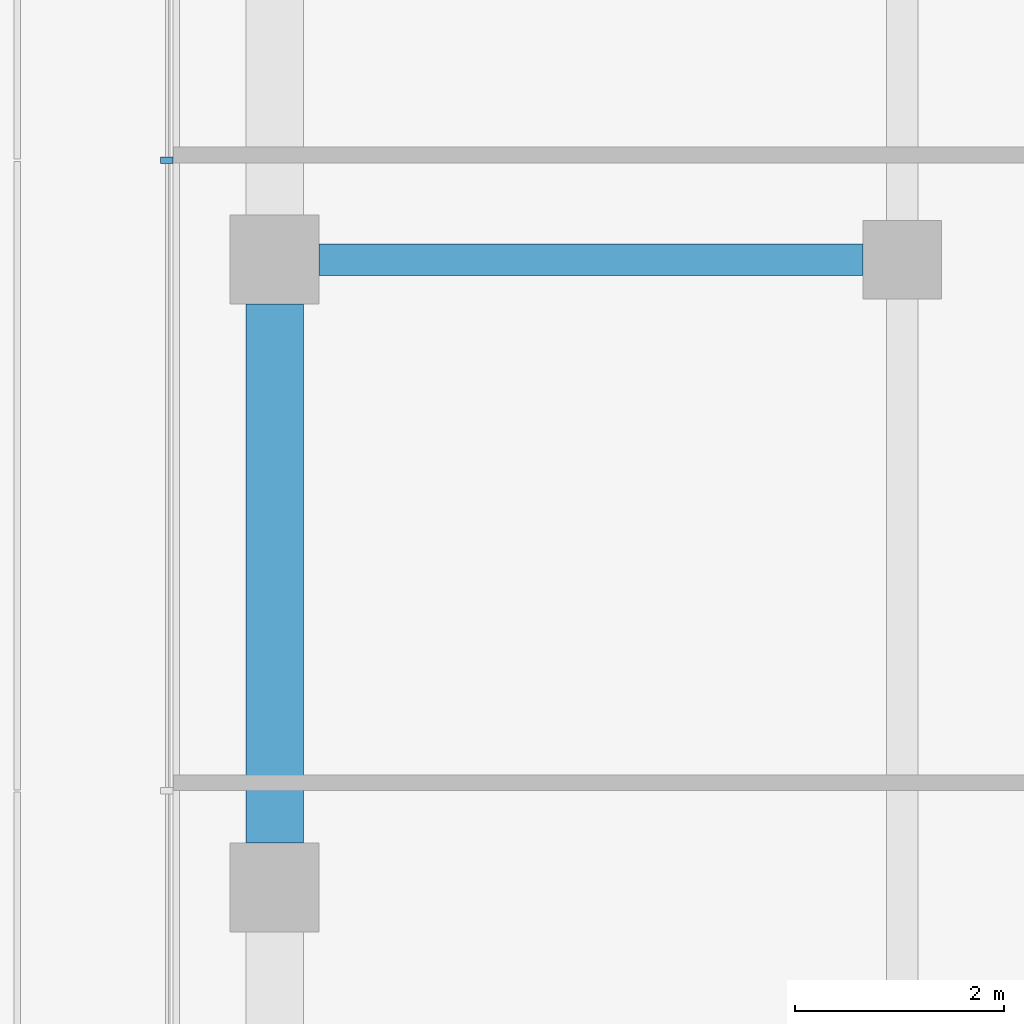
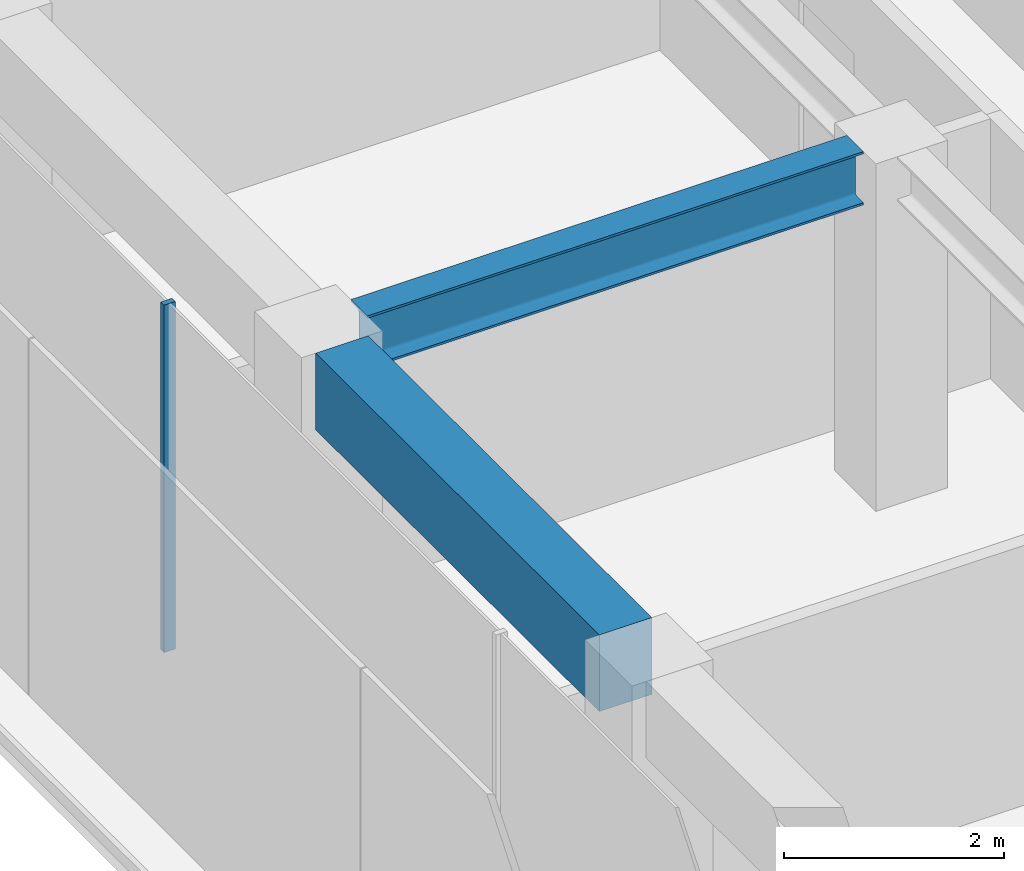
# One storey, part 9 of 21: 2 beams, 1 member, 1 element without a shape of its own.
"""IFC4 building model written with IfcOpenShell, lengths in metres."""

from ifc_helpers import new_model, si_unit, direction, frame, origin, origin_2d, place, context, subcontext, project, spatial, rectangle, i_section, extrude, material, layer, layer_set, material_profile, profile_set, type_object, element, aggregate, save


model = new_model("IFC4")

# Units and contexts
model_context = context("Model", 3, precision=1e-05, world=origin(), true_north=direction((0.0, 1.0)))
body_context = subcontext(model_context, "Body", "Model", "MODEL_VIEW")
ifc_project = project(units=[si_unit("LENGTHUNIT", "METRE"), si_unit("AREAUNIT", "SQUARE_METRE"), si_unit("VOLUMEUNIT", "CUBIC_METRE"), si_unit("PLANEANGLEUNIT", "RADIAN"), si_unit("MASSUNIT", "GRAM", prefix="KILO")], contexts=[model_context])

# Site, building, storey
site_placement = place(None, origin())
site = spatial("IfcSite", under=ifc_project, at=site_placement, CompositionType="ELEMENT")
building_placement = place(site_placement, origin())
building = spatial("IfcBuilding", under=site, at=building_placement, Name="Welwitschia Terrace Campus", CompositionType="ELEMENT")
storey_placement = place(building_placement, frame((0.0, 0.0, 159.199951171875)))
storey = spatial("IfcBuildingStorey", under=building, at=storey_placement, Name="L35", CompositionType="ELEMENT", Elevation=159.199951171875)

# Curtain wall, member
ifc_material_1 = material(Name="Bronze anodised aluminium", Category="aluminium")
ifc_layer = layer(ifc_material_1, 0.1201171875)
ifc_layer_set = layer_set([ifc_layer], Name="Bronze anodised aluminium")
curtain_wall_type = type_object("IfcCurtainWallType", Name="Curtain wall CW2 tower 6000", PredefinedType="NOTDEFINED", material=ifc_layer_set)
curtain_wall_placement = place(storey_placement, origin())
curtain_wall = element("IfcCurtainWall", 1, at=curtain_wall_placement, inside=storey, type_object=curtain_wall_type, Name="CW L35.11.0", PredefinedType="NOTDEFINED")
ifc_material_2 = material(Name="Bronze anodised aluminium", Category="aluminium")
ifc_material_profile_1 = material_profile(ifc_material_2, rectangle(XDim=0.1201171875, YDim=0.06005859375, at=origin_2d()))
ifc_profile_set_1 = profile_set([ifc_material_profile_1], Name="Bronze anodised aluminium")
member_type = type_object("IfcMemberType", Name="Mullion 60x120", PredefinedType="MULLION", material=ifc_profile_set_1)
member_placement = place(storey_placement, frame((-1.030029296875, 44.949462890625, 0.0), z_axis=(0.0, 0.0, 1.0), x_axis=(1.0, 0.0, 0.0)))
member = element("IfcMember", 2, at=member_placement, type_object=member_type, Name="Mullion L35.11.0.3", PredefinedType="MULLION", context=body_context, shape_type="SweptSolid", body=[
    extrude(rectangle(XDim=0.1201171875, YDim=0.06005859375, at=origin_2d()), origin(), (0.0, 0.0, 1.0), 3.85009765625),
])
aggregate(curtain_wall, [member])

# Beams
ifc_material_3 = material(Name="Steel S355", Category="steel")
ifc_material_profile_2 = material_profile(ifc_material_3, i_section(OverallWidth=0.300048828125, OverallDepth=0.590087890625, WebThickness=0.012939453125, FlangeThickness=0.02490234375, FilletRadius=0.027099609375, at=origin_2d()))
ifc_profile_set_2 = profile_set([ifc_material_profile_2], Name="Steel S355")
beam_type_1 = type_object("IfcBeamType", Name="Primary beam HE 600 A", PredefinedType="BEAM", material=ifc_profile_set_2)
beam_1_placement = place(storey_placement, frame((0.425537109375, 44.0, 3.554931640625), z_axis=(1.0, 0.0, 0.0), x_axis=(0.0, 1.0, 0.0)))
element("IfcBeam", 3, at=beam_1_placement, inside=storey, type_object=beam_type_1, Name="Primary beam PB4", PredefinedType="BEAM", context=body_context, shape_type="SweptSolid", body=[
    extrude(i_section(OverallWidth=0.300048828125, OverallDepth=0.590087890625, WebThickness=0.012939453125, FlangeThickness=0.02490234375, FilletRadius=0.027099609375, at=origin_2d()), origin(), (0.0, 0.0, 1.0), 5.198974609375),
])
ifc_material_4 = material(Name="Concrete C50/60", Category="concrete")
ifc_material_profile_3 = material_profile(ifc_material_4, rectangle(XDim=0.550048828125, YDim=0.85009765625, at=origin_2d()))
ifc_profile_set_3 = profile_set([ifc_material_profile_3], Name="Concrete C50/60")
beam_type_2 = type_object("IfcBeamType", Name="Ring spandrel 550x850", PredefinedType="SPANDREL", material=ifc_profile_set_3)
beam_2_placement = place(storey_placement, frame((0.0, 43.574462890625, 3.425048828125), z_axis=(0.0, -1.0, 0.0), x_axis=(1.0, 0.0, 0.0)))
element("IfcBeam", 4, at=beam_2_placement, inside=storey, type_object=beam_type_2, Name="Spandrel SP3", PredefinedType="SPANDREL", context=body_context, shape_type="SweptSolid", body=[
    extrude(rectangle(XDim=0.550048828125, YDim=0.85009765625, at=origin_2d()), origin(), (0.0, 0.0, 1.0), 5.14892578125),
])

save(model, "model.ifc")
